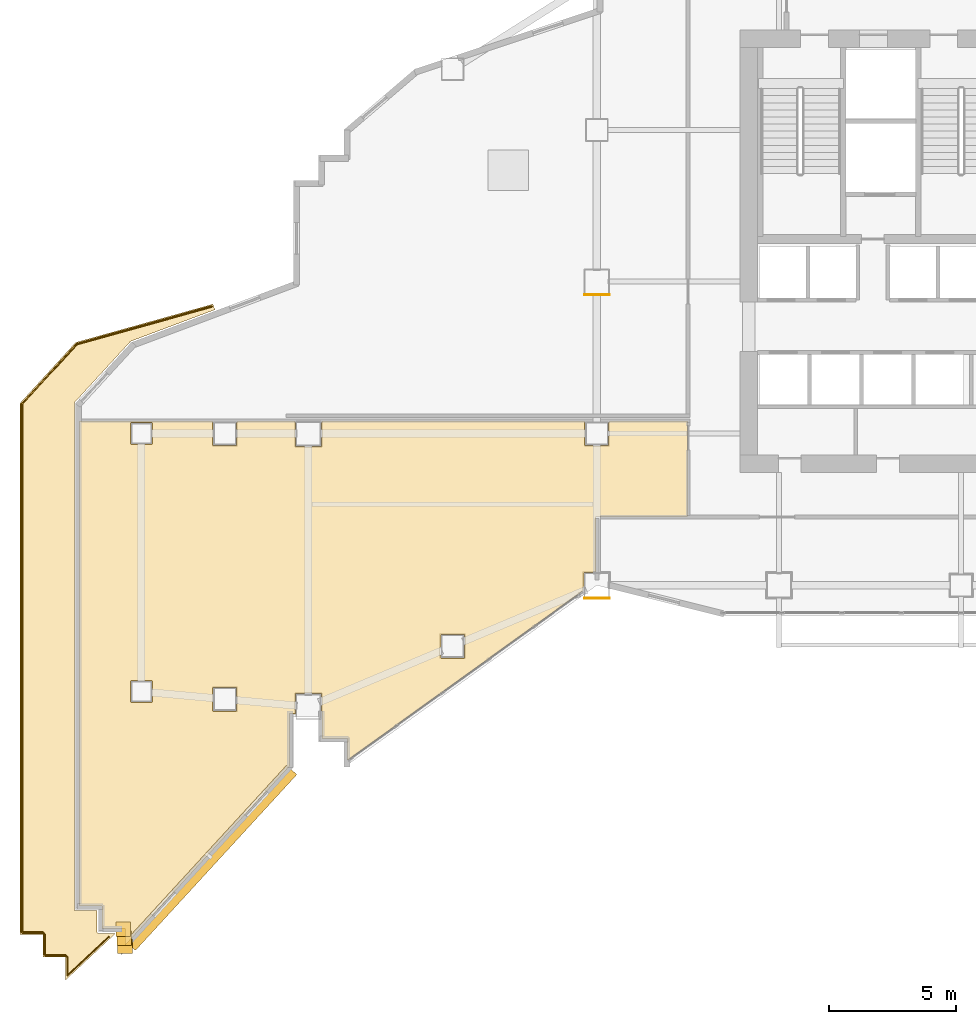
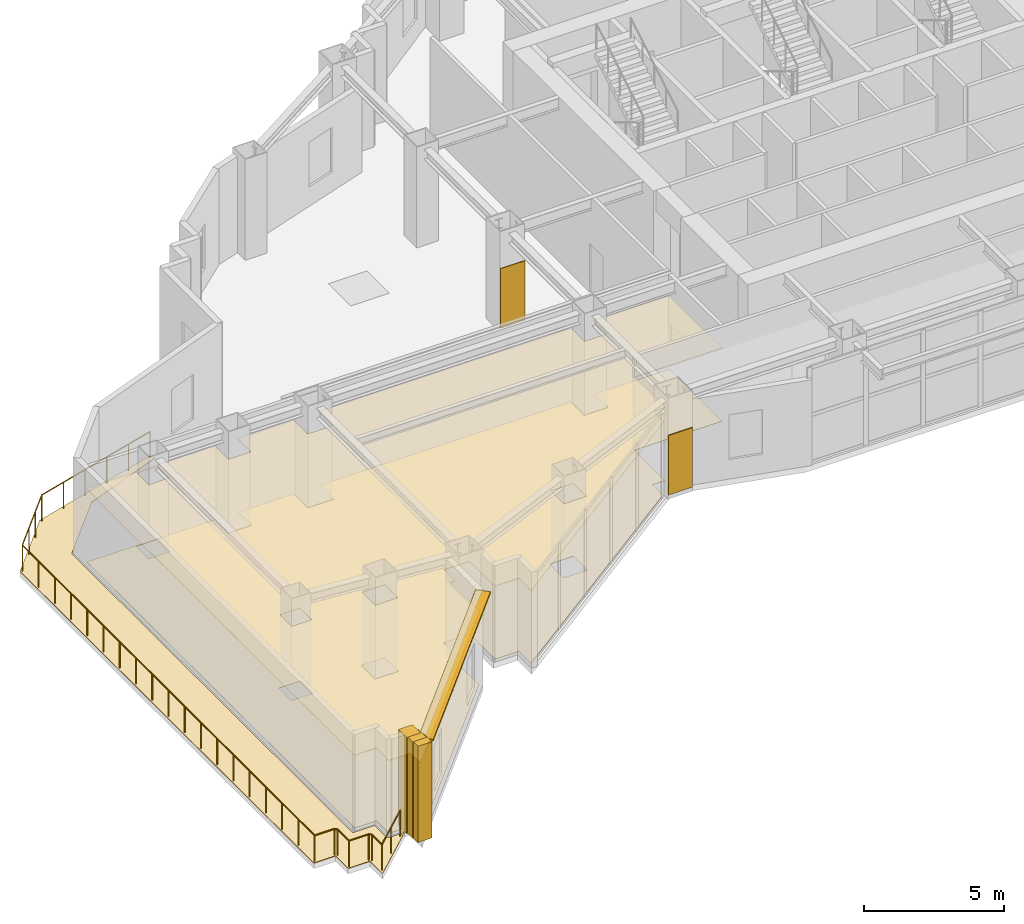
# One storey, part 13 of 19: 8 coverings, 2 railings, 1 shading device.
"""IFC4 building model written with IfcOpenShell, lengths in metres."""

from ifc_helpers import new_model, si_unit, direction, frame, origin, origin_2d, place, context, subcontext, project, spatial, polyline, rectangle, circle, outline, extrude, material, layer, layer_set, type_object, element, save


model = new_model("IFC4")

# Units and contexts
model_context = context("Model", 3, precision=1e-05, world=origin(), true_north=direction((0.0, 1.0)))
body_context = subcontext(model_context, "Body", "Model", "MODEL_VIEW")
ifc_project = project(units=[si_unit("LENGTHUNIT", "METRE"), si_unit("AREAUNIT", "SQUARE_METRE"), si_unit("VOLUMEUNIT", "CUBIC_METRE"), si_unit("PLANEANGLEUNIT", "RADIAN"), si_unit("MASSUNIT", "GRAM", prefix="KILO")], contexts=[model_context])

# Site, building, storey
site_placement = place(None, origin())
site = spatial("IfcSite", under=ifc_project, at=site_placement, CompositionType="ELEMENT")
building_placement = place(site_placement, origin())
building = spatial("IfcBuilding", under=site, at=building_placement, Name="Haolan Belvedere Tower", CompositionType="ELEMENT")
storey_placement = place(building_placement, frame((0.0, 0.0, 94.0)))
storey = spatial("IfcBuildingStorey", under=building, at=storey_placement, Name="L23", CompositionType="ELEMENT", Elevation=94.0)

# Coverings
ifc_material_1 = material(Name="Acoustic mineral-fibre suspended ceiling system", Category="masonry")
ifc_layer_1 = layer(ifc_material_1, 0.02490234375, Name="Acoustic mineral-fibre suspended ceiling system")
ifc_layer_set_1 = layer_set([ifc_layer_1], Name="Acoustic mineral-fibre suspended ceiling system")
covering_type_1 = type_object("IfcCoveringType", Name="COV-CEIL-AC25", PredefinedType="CEILING", material=ifc_layer_set_1)
covering_1_placement = place(storey_placement, frame((0.0, 0.0, 3.199951171875)))
element("IfcCovering", 1, at=covering_1_placement, inside=storey, type_object=covering_type_1, Name="L23 suspended acoustic ceiling L23-TBAR.3", PredefinedType="CEILING", context=body_context, shape_type="SweptSolid", body=[
    extrude(outline(polyline([(8.842041015625, 28.06494140625), (8.842041015625, 28.112060546875), (3.51806640625, 28.112060546875), (3.51806640625, 8.907958984375), (4.41796875, 8.907958984375), (4.41796875, 8.008056640625), (5.318115234375, 8.008056640625), (5.318115234375, 7.293212890625), (11.882080078125, 14.44580078125), (11.882080078125, 16.51806640625), (12.0849609375, 16.51806640625), (12.0849609375, 17.31494140625), (13.114990234375, 17.31494140625), (13.114990234375, 16.51806640625), (13.117919921875, 16.51806640625), (13.117919921875, 15.51806640625), (14.117919921875, 15.51806640625), (14.117919921875, 14.63037109375), (23.485107421875, 21.37451171875), (23.485107421875, 22.114990234375), (23.9970703125, 22.114990234375), (23.9970703125, 24.299560546875), (23.9970703125, 24.30029296875), (23.9970703125, 24.30078125), (23.997314453125, 24.301025390625), (23.997314453125, 24.301513671875), (23.99755859375, 24.3017578125), (23.997802734375, 24.3017578125), (23.997802734375, 24.302001953125), (23.998291015625, 24.30224609375), (23.998291015625, 24.302490234375), (23.99853515625, 24.302490234375), (23.9990234375, 24.302734375), (23.9990234375, 24.302978515625), (23.999755859375, 24.302978515625), (24.00048828125, 24.302978515625), (27.612060546875, 24.302978515625), (27.612060546875, 28.112060546875), (24.4580078125, 28.112060546875), (24.4580078125, 28.06494140625), (24.465087890625, 28.06494140625), (24.465087890625, 27.135009765625), (23.534912109375, 27.135009765625), (23.534912109375, 28.06494140625), (23.5419921875, 28.06494140625), (23.5419921875, 28.112060546875), (13.114990234375, 28.112060546875), (13.114990234375, 27.0849609375), (12.0849609375, 27.0849609375), (12.0849609375, 28.112060546875), (9.758056640625, 28.112060546875), (9.758056640625, 28.06494140625), (9.764892578125, 28.06494140625), (9.764892578125, 27.135009765625), (8.8349609375, 27.135009765625), (8.8349609375, 28.06494140625), (8.842041015625, 28.06494140625)]), holes=[polyline([(17.8349609375, 18.735107421875), (17.8349609375, 19.6650390625), (18.764892578125, 19.6650390625), (18.764892578125, 18.735107421875), (17.8349609375, 18.735107421875)]), polyline([(8.8349609375, 16.635009765625), (8.8349609375, 17.56494140625), (9.764892578125, 17.56494140625), (9.764892578125, 16.635009765625), (8.8349609375, 16.635009765625)]), polyline([(5.5849609375, 16.985107421875), (5.5849609375, 17.81494140625), (6.4150390625, 17.81494140625), (6.4150390625, 16.985107421875), (5.5849609375, 16.985107421875)]), polyline([(5.5849609375, 27.18505859375), (5.5849609375, 28.014892578125), (6.4150390625, 28.014892578125), (6.4150390625, 27.18505859375), (5.5849609375, 27.18505859375)])]), origin(), (0.0, 0.0, 1.0), 0.025146484375),
])
ifc_material_2 = material(Name="Pale champagne-silver anodised aluminium rainscreen cladding", Category="aluminium")
ifc_layer_2 = layer(ifc_material_2, 0.034912109375, Name="Pale champagne-silver anodised aluminium rainscreen cladding")
ifc_layer_set_2 = layer_set([ifc_layer_2], Name="Pale champagne-silver anodised aluminium rainscreen cladding")
covering_type_2 = type_object("IfcCoveringType", Name="COV-CLAD-35", PredefinedType="CLADDING", material=ifc_layer_set_2)
for number, where, z_axis, x_axis, name in (
    (2, (5.277587890625, 8.010009765625, 0.0), (0.0, 0.0, 1.0), (1.0, 0.0, 0.0), "L23 pale-metal serrated corner cladding trim 1"),
    (3, (5.320068359375, 7.654052734375, 0.0), (0.0, 0.0, 1.0), (1.0, 0.0, 0.0), "L23 pale-metal serrated corner cladding trim 2"),
    (4, (5.348876953125, 7.32958984375, 0.0), (0.0, 0.0, 1.0), (1.0, 0.0, 0.0), "L23 pale-metal serrated corner cladding trim 3"),
):
    element("IfcCovering", number, at=place(storey_placement, frame(where, z_axis=z_axis, x_axis=x_axis)), inside=storey, type_object=covering_type_2, Name=name, PredefinedType="CLADDING", context=body_context, shape_type="SweptSolid", body=[
        extrude(rectangle(XDim=0.580078125, YDim=0.580078125, at=origin_2d()), origin(), (0.0, 0.0, 1.0), 4.199951171875),
    ])
for number, where, z_axis, x_axis, name in (
    (5, (24.0, 21.0849609375, 0.199951171875), (0.0, 0.0, 1.0), (1.0, 0.0, 0.0), "L23 pale-metal pier rainscreen cladding 1"),
    (6, (24.0, 33.0849609375, 0.199951171875), (0.0, 0.0, 1.0), (1.0, 0.0, 0.0), "L23 pale-metal pier rainscreen cladding 2"),
):
    element("IfcCovering", number, at=place(storey_placement, frame(where, z_axis=z_axis, x_axis=x_axis)), inside=storey, type_object=covering_type_2, Name=name, PredefinedType="CLADDING", context=body_context, shape_type="SweptSolid", body=[
        extrude(rectangle(XDim=1.0, YDim=0.034912109375, at=origin_2d()), origin(), (0.0, 0.0, 1.0), 2.60009765625),
    ])
ifc_material_3 = material(Name="Honed terrazzo and natural granite stone flooring", Category="masonry")
ifc_layer_3 = layer(ifc_material_3, 0.014892578125, Name="Honed terrazzo and natural granite stone flooring")
ifc_layer_set_3 = layer_set([ifc_layer_3], Name="Honed terrazzo and natural granite stone flooring")
covering_type_3 = type_object("IfcCoveringType", Name="COV-FLR-STN30", PredefinedType="FLOORING", material=ifc_layer_set_3)
covering_2_placement = place(storey_placement, origin())
element("IfcCovering", 7, at=covering_2_placement, inside=storey, type_object=covering_type_3, Name="L23 polished stone floor finish L23-TBAR.3", PredefinedType="FLOORING", context=body_context, shape_type="SweptSolid", body=[
    extrude(outline(polyline([(3.54296875, 28.0869140625), (3.54296875, 8.93310546875), (4.443115234375, 8.93310546875), (4.443115234375, 8.032958984375), (5.343017578125, 8.032958984375), (5.343017578125, 7.357421875), (11.85693359375, 14.45556640625), (11.85693359375, 16.54296875), (12.06005859375, 16.54296875), (12.06005859375, 17.340087890625), (13.139892578125, 17.340087890625), (13.139892578125, 16.54296875), (13.14306640625, 16.54296875), (13.14306640625, 15.54296875), (14.14306640625, 15.54296875), (14.14306640625, 14.67919921875), (23.4599609375, 21.387451171875), (23.4599609375, 22.139892578125), (23.971923828125, 22.139892578125), (23.971923828125, 24.302490234375), (23.97314453125, 24.309814453125), (23.974609375, 24.31201171875), (23.9755859375, 24.315185546875), (23.977783203125, 24.3173828125), (23.980712890625, 24.322998046875), (23.9853515625, 24.32470703125), (23.987060546875, 24.326171875), (23.99755859375, 24.327880859375), (27.5869140625, 24.327880859375), (27.5869140625, 28.0869140625), (24.489990234375, 28.0869140625), (24.489990234375, 27.110107421875), (23.510009765625, 27.110107421875), (23.510009765625, 28.0869140625), (13.139892578125, 28.0869140625), (13.139892578125, 27.06005859375), (12.06005859375, 27.06005859375), (12.06005859375, 28.0869140625), (9.7900390625, 28.0869140625), (9.7900390625, 27.110107421875), (8.81005859375, 27.110107421875), (8.81005859375, 28.0869140625), (3.54296875, 28.0869140625)]), holes=[polyline([(17.81005859375, 19.68994140625), (18.7900390625, 19.68994140625), (18.7900390625, 18.7099609375), (17.81005859375, 18.7099609375), (17.81005859375, 19.68994140625)]), polyline([(8.81005859375, 17.590087890625), (9.7900390625, 17.590087890625), (9.7900390625, 16.610107421875), (8.81005859375, 16.610107421875), (8.81005859375, 17.590087890625)]), polyline([(5.56005859375, 17.840087890625), (6.43994140625, 17.840087890625), (6.43994140625, 16.9599609375), (5.56005859375, 16.9599609375), (5.56005859375, 17.840087890625)]), polyline([(5.56005859375, 28.0400390625), (6.43994140625, 28.0400390625), (6.43994140625, 27.159912109375), (5.56005859375, 27.159912109375), (5.56005859375, 28.0400390625)])]), origin(), (0.0, 0.0, 1.0), 0.014892578125),
])
ifc_material_4 = material(Name="Elastomeric waterproof roofing membrane and stone pavers", Category="masonry")
ifc_layer_4 = layer(ifc_material_4, 0.02001953125, Name="Elastomeric waterproof roofing membrane and stone pavers")
ifc_layer_set_4 = layer_set([ifc_layer_4], Name="Elastomeric waterproof roofing membrane and stone pavers")
covering_type_4 = type_object("IfcCoveringType", Name="COV-ROOF-20", PredefinedType="ROOFING", material=ifc_layer_set_4)
covering_3_placement = place(storey_placement, frame((0.0, 0.0, -0.02001953125)))
element("IfcCovering", 8, at=covering_3_placement, inside=storey, type_object=covering_type_4, Name="L23 garden terrace waterproof roofing paver 1", PredefinedType="ROOFING", context=body_context, shape_type="SweptSolid", body=[
    extrude(outline(polyline([(2.10009765625, 7.79638671875), (2.10009765625, 6.89990234375), (2.996337890625, 6.89990234375), (2.999755859375, 6.89990234375), (3.0, 6.896240234375), (3.0, 6.0), (4.971435546875, 7.840087890625), (4.3017578125, 7.840087890625), (4.298583984375, 7.840087890625), (4.292724609375, 7.8408203125), (4.287841796875, 7.841552734375), (4.283203125, 7.843017578125), (4.27880859375, 7.844970703125), (4.2744140625, 7.84716796875), (4.270263671875, 7.849853515625), (4.2666015625, 7.85302734375), (4.262939453125, 7.8564453125), (4.260009765625, 7.8603515625), (4.257080078125, 7.864501953125), (4.2548828125, 7.86865234375), (4.2529296875, 7.873291015625), (4.251708984375, 7.8779296875), (4.250732421875, 7.8828125), (4.25, 7.888671875), (4.25, 7.891845703125), (4.25, 8.739990234375), (3.40185546875, 8.739990234375), (3.398681640625, 8.739990234375), (3.392578125, 8.74072265625), (3.387939453125, 8.74169921875), (3.38330078125, 8.742919921875), (3.378662109375, 8.744873046875), (3.37451171875, 8.747314453125), (3.370361328125, 8.75), (3.366455078125, 8.7529296875), (3.363037109375, 8.756591796875), (3.35986328125, 8.76025390625), (3.357177734375, 8.764404296875), (3.35498046875, 8.768798828125), (3.35302734375, 8.773193359375), (3.3515625, 8.77783203125), (3.3505859375, 8.78271484375), (3.35009765625, 8.78857421875), (3.35009765625, 8.791748046875), (3.35009765625, 28.79833984375), (3.35009765625, 28.80126953125), (3.3505859375, 28.806884765625), (3.351318359375, 28.8115234375), (3.352783203125, 28.81591796875), (3.3544921875, 28.8203125), (3.3564453125, 28.824462890625), (3.35888671875, 28.828369140625), (3.3623046875, 28.832763671875), (3.3642578125, 28.835205078125), (5.56201171875, 31.232421875), (5.564208984375, 31.234619140625), (5.568359375, 31.238525390625), (5.572021484375, 31.2412109375), (5.576171875, 31.243896484375), (5.581298828125, 31.246337890625), (5.583984375, 31.247314453125), (8.8994140625, 32.49072265625), (8.826416015625, 32.71435546875), (3.39990234375, 31.199951171875), (1.199951171875, 28.800048828125), (1.199951171875, 7.800048828125), (2.09619140625, 7.800048828125), (2.099853515625, 7.7998046875), (2.10009765625, 7.79638671875)])), origin(), (0.0, 0.0, 1.0), 0.02001953125),
])

# Railings
ifc_material_5 = material(Name="Anodised aluminium and laminated glass balustrade", Category="aluminium")
railing_type = type_object("IfcRailingType", Name="RL-TER-BAL-1150", PredefinedType="BALUSTRADE", material=ifc_material_5)
railing_1_placement = place(storey_placement, frame((2.179931640625, 7.798583984375, 0.0)))
element("IfcRailing", 9, at=railing_1_placement, inside=storey, type_object=railing_type, Name="L23 outdoor perimeter balustrade TERR-L23-1-1", PredefinedType="BALUSTRADE", context=body_context, shape_type="SweptSolid", body=[
    extrude(circle(Radius=0.02392578125, at=origin_2d()), frame((0.0, 0.0, 1.1259765625), z_axis=(-0.707106781187, 0.707106781187, 0.0), x_axis=(-0.707106781187, -0.707106781187, 0.0)), (0.0, 0.0, 1.0), 0.114990234375),
    extrude(circle(Radius=0.02392578125, at=origin_2d()), frame((-0.081298828125, 0.081298828125, 1.1259765625), z_axis=(-1.0, 0.0, 0.0), x_axis=(0.0, -1.0, 0.0)), (0.0, 0.0, 1.0), 0.818603515625),
    extrude(circle(Radius=0.02392578125, at=origin_2d()), frame((-0.89990234375, 0.081298828125, 1.1259765625), z_axis=(0.0, 1.0, 0.0), x_axis=(-1.0, 0.0, 0.0)), (0.0, 0.0, 1.0), 20.888916015625),
    extrude(circle(Radius=0.02392578125, at=origin_2d()), frame((-0.89990234375, 20.97021484375, 1.1259765625), z_axis=(0.675710817419, 0.737166800136, 0.0), x_axis=(-0.737166800136, 0.675710817419, 0.0)), (0.0, 0.0, 1.0), 3.201904296875),
    extrude(circle(Radius=0.02392578125, at=origin_2d()), frame((1.263671875, 23.33056640625, 1.1259765625), z_axis=(0.963198691852, 0.268790401642, 0.0), x_axis=(-0.268790401642, 0.963198691852, 0.0)), (0.0, 0.0, 1.0), 5.5341796875),
    extrude(circle(Radius=0.02099609375, at=origin_2d()), origin(), (0.0, 0.0, 1.0), 1.101806640625),
    extrude(circle(Radius=0.02099609375, at=origin_2d()), frame((-0.081298828125, 0.081298828125, 0.0)), (0.0, 0.0, 1.0), 1.101806640625),
    extrude(circle(Radius=0.02099609375, at=origin_2d()), frame((-0.89990234375, 0.081298828125, 0.0)), (0.0, 0.0, 1.0), 1.101806640625),
    extrude(circle(Radius=0.02099609375, at=origin_2d()), frame((-0.89990234375, 1.24169921875, 0.0)), (0.0, 0.0, 1.0), 1.101806640625),
    extrude(circle(Radius=0.02099609375, at=origin_2d()), frame((-0.89990234375, 2.40234375, 0.0)), (0.0, 0.0, 1.0), 1.101806640625),
    extrude(circle(Radius=0.02099609375, at=origin_2d()), frame((-0.89990234375, 3.562744140625, 0.0)), (0.0, 0.0, 1.0), 1.101806640625),
    extrude(circle(Radius=0.02099609375, at=origin_2d()), frame((-0.89990234375, 4.723388671875, 0.0)), (0.0, 0.0, 1.0), 1.101806640625),
    extrude(circle(Radius=0.02099609375, at=origin_2d()), frame((-0.89990234375, 5.8837890625, 0.0)), (0.0, 0.0, 1.0), 1.101806640625),
    extrude(circle(Radius=0.02099609375, at=origin_2d()), frame((-0.89990234375, 7.044189453125, 0.0)), (0.0, 0.0, 1.0), 1.101806640625),
    extrude(circle(Radius=0.02099609375, at=origin_2d()), frame((-0.89990234375, 8.204833984375, 0.0)), (0.0, 0.0, 1.0), 1.101806640625),
    extrude(circle(Radius=0.02099609375, at=origin_2d()), frame((-0.89990234375, 9.365234375, 0.0)), (0.0, 0.0, 1.0), 1.101806640625),
    extrude(circle(Radius=0.02099609375, at=origin_2d()), frame((-0.89990234375, 10.52587890625, 0.0)), (0.0, 0.0, 1.0), 1.101806640625),
    extrude(circle(Radius=0.02099609375, at=origin_2d()), frame((-0.89990234375, 11.686279296875, 0.0)), (0.0, 0.0, 1.0), 1.101806640625),
    extrude(circle(Radius=0.02099609375, at=origin_2d()), frame((-0.89990234375, 12.8466796875, 0.0)), (0.0, 0.0, 1.0), 1.101806640625),
    extrude(circle(Radius=0.02099609375, at=origin_2d()), frame((-0.89990234375, 14.00732421875, 0.0)), (0.0, 0.0, 1.0), 1.101806640625),
    extrude(circle(Radius=0.02099609375, at=origin_2d()), frame((-0.89990234375, 15.167724609375, 0.0)), (0.0, 0.0, 1.0), 1.101806640625),
    extrude(circle(Radius=0.02099609375, at=origin_2d()), frame((-0.89990234375, 16.328125, 0.0)), (0.0, 0.0, 1.0), 1.101806640625),
    extrude(circle(Radius=0.02099609375, at=origin_2d()), frame((-0.89990234375, 17.48876953125, 0.0)), (0.0, 0.0, 1.0), 1.101806640625),
    extrude(circle(Radius=0.02099609375, at=origin_2d()), frame((-0.89990234375, 18.649169921875, 0.0)), (0.0, 0.0, 1.0), 1.101806640625),
    extrude(circle(Radius=0.02099609375, at=origin_2d()), frame((-0.89990234375, 19.809814453125, 0.0)), (0.0, 0.0, 1.0), 1.101806640625),
    extrude(circle(Radius=0.02099609375, at=origin_2d()), frame((-0.89990234375, 20.97021484375, 0.0)), (0.0, 0.0, 1.0), 1.101806640625),
    extrude(circle(Radius=0.02099609375, at=origin_2d()), frame((-0.1787109375, 21.757080078125, 0.0)), (0.0, 0.0, 1.0), 1.101806640625),
    extrude(circle(Radius=0.02099609375, at=origin_2d()), frame((0.54248046875, 22.543701171875, 0.0)), (0.0, 0.0, 1.0), 1.101806640625),
    extrude(circle(Radius=0.02099609375, at=origin_2d()), frame((1.263671875, 23.33056640625, 0.0)), (0.0, 0.0, 1.0), 1.101806640625),
    extrude(circle(Radius=0.02099609375, at=origin_2d()), frame((2.329833984375, 23.628173828125, 0.0)), (0.0, 0.0, 1.0), 1.101806640625),
    extrude(circle(Radius=0.02099609375, at=origin_2d()), frame((3.39599609375, 23.925537109375, 0.0)), (0.0, 0.0, 1.0), 1.101806640625),
    extrude(circle(Radius=0.02099609375, at=origin_2d()), frame((4.4619140625, 24.22314453125, 0.0)), (0.0, 0.0, 1.0), 1.101806640625),
    extrude(circle(Radius=0.02099609375, at=origin_2d()), frame((5.528076171875, 24.5205078125, 0.0)), (0.0, 0.0, 1.0), 1.101806640625),
    extrude(circle(Radius=0.02099609375, at=origin_2d()), frame((6.59423828125, 24.818115234375, 0.0)), (0.0, 0.0, 1.0), 1.101806640625),
])
railing_2_placement = place(storey_placement, frame((4.71484375, 7.7099609375, 0.0)))
element("IfcRailing", 10, at=railing_2_placement, inside=storey, type_object=railing_type, Name="L23 outdoor perimeter balustrade TERR-L23-1-2", PredefinedType="BALUSTRADE", context=body_context, shape_type="SweptSolid", body=[
    extrude(circle(Radius=0.02392578125, at=origin_2d()), frame((0.0, 0.0, 1.1259765625), z_axis=(-0.731033484804, -0.682341589012, 0.0), x_axis=(0.682341589012, -0.731033484804, 0.0)), (0.0, 0.0, 1.0), 2.236328125),
    extrude(circle(Radius=0.02392578125, at=origin_2d()), frame((-1.634765625, -1.52587890625, 1.1259765625), z_axis=(0.0, 1.0, 0.0), x_axis=(-1.0, 0.0, 0.0)), (0.0, 0.0, 1.0), 0.714599609375),
    extrude(circle(Radius=0.02392578125, at=origin_2d()), frame((-1.634765625, -0.811279296875, 1.1259765625), z_axis=(-0.708166115403, 0.706045857572, 0.0), x_axis=(-0.706045857572, -0.708166115403, 0.0)), (0.0, 0.0, 1.0), 0.115234375),
    extrude(circle(Radius=0.02392578125, at=origin_2d()), frame((-1.71630859375, -0.72998046875, 1.1259765625), z_axis=(-1.0, 0.0, 0.0), x_axis=(0.0, -1.0, 0.0)), (0.0, 0.0, 1.0), 0.818603515625),
    extrude(circle(Radius=0.02392578125, at=origin_2d()), frame((-2.534912109375, -0.72998046875, 1.1259765625), z_axis=(0.0, 1.0, 0.0), x_axis=(-1.0, 0.0, 0.0)), (0.0, 0.0, 1.0), 0.818603515625),
    extrude(circle(Radius=0.02099609375, at=origin_2d()), origin(), (0.0, 0.0, 1.0), 1.101806640625),
    extrude(circle(Radius=0.02099609375, at=origin_2d()), frame((-0.8173828125, -0.762939453125, 0.0)), (0.0, 0.0, 1.0), 1.101806640625),
    extrude(circle(Radius=0.02099609375, at=origin_2d()), frame((-1.634765625, -1.52587890625, 0.0)), (0.0, 0.0, 1.0), 1.101806640625),
    extrude(circle(Radius=0.02099609375, at=origin_2d()), frame((-1.634765625, -0.811279296875, 0.0)), (0.0, 0.0, 1.0), 1.101806640625),
    extrude(circle(Radius=0.02099609375, at=origin_2d()), frame((-1.71630859375, -0.72998046875, 0.0)), (0.0, 0.0, 1.0), 1.101806640625),
    extrude(circle(Radius=0.02099609375, at=origin_2d()), frame((-2.534912109375, -0.72998046875, 0.0)), (0.0, 0.0, 1.0), 1.101806640625),
    extrude(circle(Radius=0.02099609375, at=origin_2d()), frame((-2.534912109375, 0.088623046875, 0.0)), (0.0, 0.0, 1.0), 1.101806640625),
])

# Shading device
ifc_material_6 = material(Name="Anodised champagne-silver aluminium 6063-T6", Category="aluminium")
ifc_layer_5 = layer(ifc_material_6, 0.080078125, Name="Anodised champagne-silver aluminium 6063-T6")
ifc_layer_set_5 = layer_set([ifc_layer_5], Name="Anodised champagne-silver aluminium 6063-T6")
shading_device_type = type_object("IfcShadingDeviceType", Name="SHD-SUN-550", PredefinedType="USERDEFINED", material=ifc_layer_set_5)
shading_device_placement = place(storey_placement, frame((8.75048828125, 10.829345703125, 4.099853515625), z_axis=(0.0, 0.0, 1.0), x_axis=(0.67613047857, 0.736781905281, 0.0)))
element("IfcShadingDevice", 11, at=shading_device_placement, inside=storey, type_object=shading_device_type, Name="L23 pale-metal horizontal SUNSHADE band 49.1", ObjectType="SUNSHADE", PredefinedType="USERDEFINED", context=body_context, shape_type="SweptSolid", body=[
    extrude(rectangle(XDim=9.432373046875, YDim=0.550048828125, at=origin_2d()), origin(), (0.0, 0.0, 1.0), 0.080078125),
])

save(model, "model.ifc")
